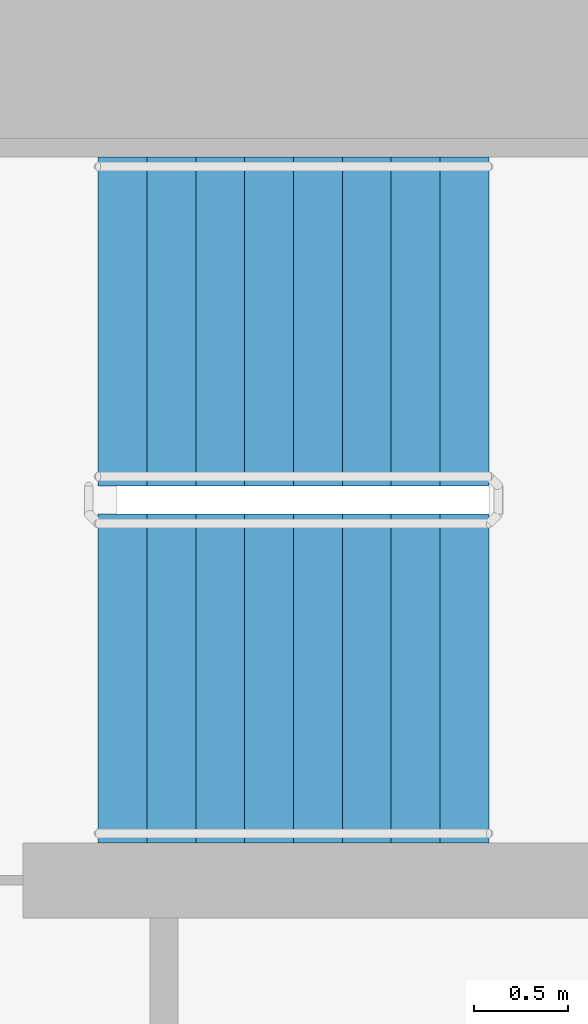
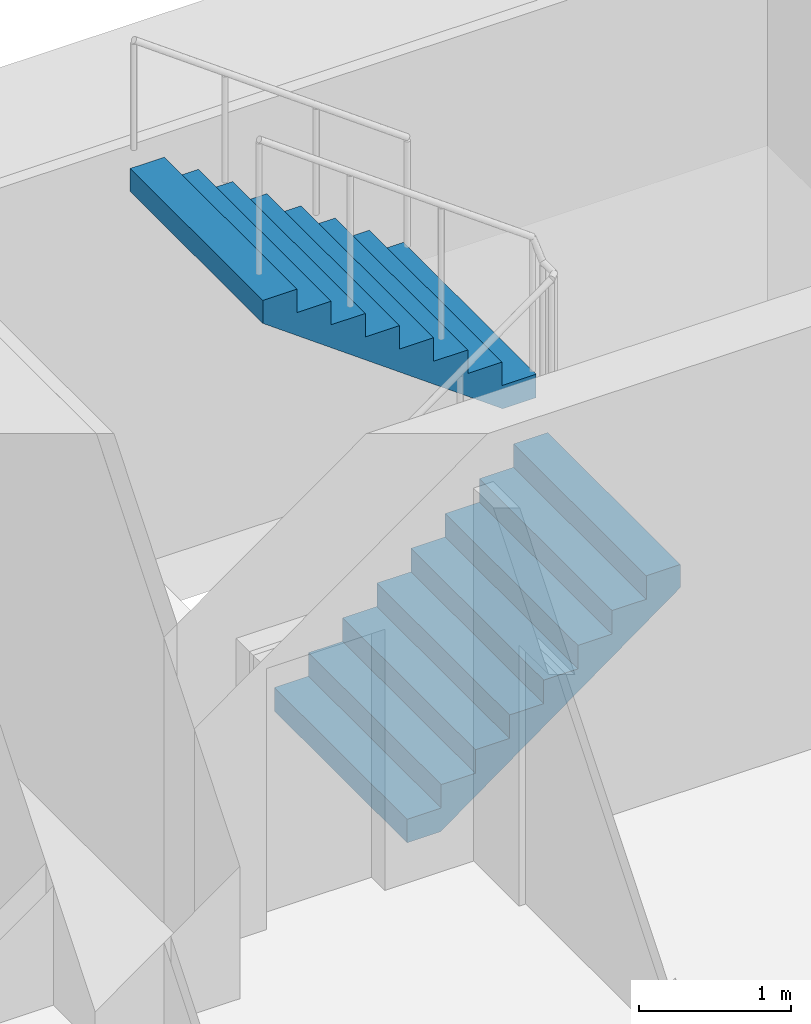
# One storey, part 17 of 21: 2 stair flights, 1 element without a shape of its own.
"""IFC4 building model written with IfcOpenShell, lengths in metres."""

from ifc_helpers import new_model, si_unit, direction, frame, origin, place, context, subcontext, project, spatial, faceted_brep, material, type_object, element, aggregate, save


model = new_model("IFC4")

# Units and contexts
model_context = context("Model", 3, precision=1e-05, world=origin(), true_north=direction((0.0, 1.0)))
body_context = subcontext(model_context, "Body", "Model", "MODEL_VIEW")
ifc_project = project(units=[si_unit("LENGTHUNIT", "METRE"), si_unit("AREAUNIT", "SQUARE_METRE"), si_unit("VOLUMEUNIT", "CUBIC_METRE"), si_unit("PLANEANGLEUNIT", "RADIAN"), si_unit("MASSUNIT", "GRAM", prefix="KILO")], contexts=[model_context])

# Site, building, storey
site_placement = place(None, origin())
site = spatial("IfcSite", under=ifc_project, at=site_placement, CompositionType="ELEMENT")
building_placement = place(site_placement, origin())
building = spatial("IfcBuilding", under=site, at=building_placement, Name="Ipe Terrace Towers", CompositionType="ELEMENT")
storey_placement = place(building_placement, frame((0.0, 0.0, 27.89990234375)))
storey = spatial("IfcBuildingStorey", under=building, at=storey_placement, Name="L06", CompositionType="ELEMENT", Elevation=27.89990234375)

# Stair, stair flights
ifc_material_1 = material(Name="Concrete C30/37", Category="concrete")
stair_type = type_object("IfcStairType", Name="Protected exit stair", PredefinedType="HALF_TURN_STAIR", material=ifc_material_1)
stair_placement = place(storey_placement, origin())
stair = element("IfcStair", 1, at=stair_placement, inside=storey, type_object=stair_type, Name="L06 Exit stair T1-C1", PredefinedType="HALF_TURN_STAIR")
ifc_material_2 = material(Name="Concrete C30/37", Category="concrete")
stair_flight_type = type_object("IfcStairFlightType", Name="Exit stair flight 1750", PredefinedType="STRAIGHT", material=ifc_material_2)
stair_flight_1_placement = place(storey_placement, frame((-26.300048828125, 2.77490234375, 0.0), z_axis=(0.0, 0.0, 1.0), x_axis=(1.0, 0.0, 0.0)))
stair_flight_1 = element("IfcStairFlight", 2, at=stair_flight_1_placement, type_object=stair_flight_type, Name="T1-ST1 flight 1", NumberOfRisers=9, NumberOfTreads=8, PredefinedType="STRAIGHT", RiserHeight=0.188888889, TreadLength=0.26, context=body_context, shape_type="Brep", body=[
    faceted_brep([(0.255126953125, -0.875, 0.0), (2.080078125, -0.875, 1.325927734375), (2.080078125, -0.875, 1.51123046875), (1.820068359375, -0.875, 1.51123046875), (1.820068359375, -0.875, 1.322265625), (1.56005859375, -0.875, 1.322265625), (1.56005859375, -0.875, 1.13330078125), (1.300048828125, -0.875, 1.13330078125), (1.300048828125, -0.875, 0.9443359375), (1.0400390625, -0.875, 0.9443359375), (1.0400390625, -0.875, 0.755615234375), (0.780029296875, -0.875, 0.755615234375), (0.780029296875, -0.875, 0.566650390625), (0.52001953125, -0.875, 0.566650390625), (0.52001953125, -0.875, 0.377685546875), (0.260009765625, -0.875, 0.377685546875), (0.260009765625, -0.875, 0.18896484375), (0.0, -0.875, 0.18896484375), (0.0, -0.875, 0.0), (0.0, 0.875, 0.0), (0.0, 0.875, 0.18896484375), (0.260009765625, 0.875, 0.18896484375), (0.260009765625, 0.875, 0.377685546875), (0.52001953125, 0.875, 0.377685546875), (0.52001953125, 0.875, 0.566650390625), (0.780029296875, 0.875, 0.566650390625), (0.780029296875, 0.875, 0.755615234375), (1.0400390625, 0.875, 0.755615234375), (1.0400390625, 0.875, 0.9443359375), (1.300048828125, 0.875, 0.9443359375), (1.300048828125, 0.875, 1.13330078125), (1.56005859375, 0.875, 1.13330078125), (1.56005859375, 0.875, 1.322265625), (1.820068359375, 0.875, 1.322265625), (1.820068359375, 0.875, 1.51123046875), (2.080078125, 0.875, 1.51123046875), (2.080078125, 0.875, 1.325927734375), (0.255126953125, 0.875, 0.0), (0.0, -0.300048828125, 0.18896484375), (0.0, -0.1201171875, 0.18896484375), (0.0, -0.06005859375, 0.18896484375), (0.0, -0.030029296875, 0.18896484375), (0.0, -0.010009765625, 0.18896484375), (0.0, 0.0, 0.18896484375), (0.0, 0.010009765625, 0.18896484375), (0.0, 0.030029296875, 0.18896484375), (0.0, 0.06005859375, 0.18896484375), (0.0, 0.1201171875, 0.18896484375), (0.0, 0.300048828125, 0.18896484375), (0.0, 0.300048828125, 0.0), (0.0, 0.1201171875, 0.0), (0.0, 0.06005859375, 0.0), (0.0, 0.030029296875, 0.0), (0.0, 0.010009765625, 0.0), (0.0, 0.0, 0.0), (0.0, -0.010009765625, 0.0), (0.0, -0.030029296875, 0.0), (0.0, -0.06005859375, 0.0), (0.0, -0.1201171875, 0.0), (0.0, -0.300048828125, 0.0), (0.260009765625, -0.300048828125, 0.18896484375), (0.260009765625, -0.1201171875, 0.18896484375), (0.260009765625, -0.06005859375, 0.18896484375), (0.260009765625, -0.030029296875, 0.18896484375), (0.260009765625, -0.010009765625, 0.18896484375), (0.260009765625, 0.0, 0.18896484375), (0.260009765625, 0.010009765625, 0.18896484375), (0.260009765625, 0.030029296875, 0.18896484375), (0.260009765625, 0.06005859375, 0.18896484375), (0.260009765625, 0.1201171875, 0.18896484375), (0.260009765625, 0.300048828125, 0.18896484375), (0.260009765625, -0.300048828125, 0.377685546875), (0.260009765625, -0.1201171875, 0.377685546875), (0.260009765625, -0.06005859375, 0.377685546875), (0.260009765625, -0.030029296875, 0.377685546875), (0.260009765625, -0.010009765625, 0.377685546875), (0.260009765625, 0.0, 0.377685546875), (0.260009765625, 0.010009765625, 0.377685546875), (0.260009765625, 0.030029296875, 0.377685546875), (0.260009765625, 0.06005859375, 0.377685546875), (0.260009765625, 0.1201171875, 0.377685546875), (0.260009765625, 0.300048828125, 0.377685546875), (0.52001953125, -0.300048828125, 0.377685546875), (0.52001953125, -0.1201171875, 0.377685546875), (0.52001953125, -0.06005859375, 0.377685546875), (0.52001953125, -0.030029296875, 0.377685546875), (0.52001953125, -0.010009765625, 0.377685546875), (0.52001953125, 0.0, 0.377685546875), (0.52001953125, 0.010009765625, 0.377685546875), (0.52001953125, 0.030029296875, 0.377685546875), (0.52001953125, 0.06005859375, 0.377685546875), (0.52001953125, 0.1201171875, 0.377685546875), (0.52001953125, 0.300048828125, 0.377685546875), (0.52001953125, -0.300048828125, 0.566650390625), (0.52001953125, -0.1201171875, 0.566650390625), (0.52001953125, -0.06005859375, 0.566650390625), (0.52001953125, -0.030029296875, 0.566650390625), (0.52001953125, -0.010009765625, 0.566650390625), (0.52001953125, 0.0, 0.566650390625), (0.52001953125, 0.010009765625, 0.566650390625), (0.52001953125, 0.030029296875, 0.566650390625), (0.52001953125, 0.06005859375, 0.566650390625), (0.52001953125, 0.1201171875, 0.566650390625), (0.52001953125, 0.300048828125, 0.566650390625), (0.780029296875, -0.300048828125, 0.566650390625), (0.780029296875, -0.1201171875, 0.566650390625), (0.780029296875, -0.06005859375, 0.566650390625), (0.780029296875, -0.030029296875, 0.566650390625), (0.780029296875, -0.010009765625, 0.566650390625), (0.780029296875, 0.0, 0.566650390625), (0.780029296875, 0.010009765625, 0.566650390625), (0.780029296875, 0.030029296875, 0.566650390625), (0.780029296875, 0.06005859375, 0.566650390625), (0.780029296875, 0.1201171875, 0.566650390625), (0.780029296875, 0.300048828125, 0.566650390625), (0.780029296875, -0.300048828125, 0.755615234375), (0.780029296875, -0.1201171875, 0.755615234375), (0.780029296875, -0.06005859375, 0.755615234375), (0.780029296875, -0.030029296875, 0.755615234375), (0.780029296875, -0.010009765625, 0.755615234375), (0.780029296875, 0.0, 0.755615234375), (0.780029296875, 0.010009765625, 0.755615234375), (0.780029296875, 0.030029296875, 0.755615234375), (0.780029296875, 0.06005859375, 0.755615234375), (0.780029296875, 0.1201171875, 0.755615234375), (0.780029296875, 0.300048828125, 0.755615234375), (1.0400390625, -0.300048828125, 0.755615234375), (1.0400390625, -0.1201171875, 0.755615234375), (1.0400390625, -0.06005859375, 0.755615234375), (1.0400390625, -0.030029296875, 0.755615234375), (1.0400390625, -0.010009765625, 0.755615234375), (1.0400390625, 0.0, 0.755615234375), (1.0400390625, 0.010009765625, 0.755615234375), (1.0400390625, 0.030029296875, 0.755615234375), (1.0400390625, 0.06005859375, 0.755615234375), (1.0400390625, 0.1201171875, 0.755615234375), (1.0400390625, 0.300048828125, 0.755615234375), (1.0400390625, -0.300048828125, 0.9443359375), (1.0400390625, -0.1201171875, 0.9443359375), (1.0400390625, -0.06005859375, 0.9443359375), (1.0400390625, -0.030029296875, 0.9443359375), (1.0400390625, -0.010009765625, 0.9443359375), (1.0400390625, 0.0, 0.9443359375), (1.0400390625, 0.010009765625, 0.9443359375), (1.0400390625, 0.030029296875, 0.9443359375), (1.0400390625, 0.06005859375, 0.9443359375), (1.0400390625, 0.1201171875, 0.9443359375), (1.0400390625, 0.300048828125, 0.9443359375), (1.300048828125, -0.300048828125, 0.9443359375), (1.300048828125, -0.1201171875, 0.9443359375), (1.300048828125, -0.06005859375, 0.9443359375), (1.300048828125, -0.030029296875, 0.9443359375), (1.300048828125, -0.010009765625, 0.9443359375), (1.300048828125, 0.0, 0.9443359375), (1.300048828125, 0.010009765625, 0.9443359375), (1.300048828125, 0.030029296875, 0.9443359375), (1.300048828125, 0.06005859375, 0.9443359375), (1.300048828125, 0.1201171875, 0.9443359375), (1.300048828125, 0.300048828125, 0.9443359375), (1.300048828125, -0.300048828125, 1.13330078125), (1.300048828125, -0.1201171875, 1.13330078125), (1.300048828125, -0.06005859375, 1.13330078125), (1.300048828125, -0.030029296875, 1.13330078125), (1.300048828125, -0.010009765625, 1.13330078125), (1.300048828125, 0.0, 1.13330078125), (1.300048828125, 0.010009765625, 1.13330078125), (1.300048828125, 0.030029296875, 1.13330078125), (1.300048828125, 0.06005859375, 1.13330078125), (1.300048828125, 0.1201171875, 1.13330078125), (1.300048828125, 0.300048828125, 1.13330078125), (1.56005859375, -0.300048828125, 1.13330078125), (1.56005859375, -0.1201171875, 1.13330078125), (1.56005859375, -0.06005859375, 1.13330078125), (1.56005859375, -0.030029296875, 1.13330078125), (1.56005859375, -0.010009765625, 1.13330078125), (1.56005859375, 0.0, 1.13330078125), (1.56005859375, 0.010009765625, 1.13330078125), (1.56005859375, 0.030029296875, 1.13330078125), (1.56005859375, 0.06005859375, 1.13330078125), (1.56005859375, 0.1201171875, 1.13330078125), (1.56005859375, 0.300048828125, 1.13330078125), (1.56005859375, -0.300048828125, 1.322265625), (1.56005859375, -0.1201171875, 1.322265625), (1.56005859375, -0.06005859375, 1.322265625), (1.56005859375, -0.030029296875, 1.322265625), (1.56005859375, -0.010009765625, 1.322265625), (1.56005859375, 0.0, 1.322265625), (1.56005859375, 0.010009765625, 1.322265625), (1.56005859375, 0.030029296875, 1.322265625), (1.56005859375, 0.06005859375, 1.322265625), (1.56005859375, 0.1201171875, 1.322265625), (1.56005859375, 0.300048828125, 1.322265625), (1.820068359375, -0.300048828125, 1.322265625), (1.820068359375, -0.1201171875, 1.322265625), (1.820068359375, -0.06005859375, 1.322265625), (1.820068359375, -0.030029296875, 1.322265625), (1.820068359375, -0.010009765625, 1.322265625), (1.820068359375, 0.0, 1.322265625), (1.820068359375, 0.010009765625, 1.322265625), (1.820068359375, 0.030029296875, 1.322265625), (1.820068359375, 0.06005859375, 1.322265625), (1.820068359375, 0.1201171875, 1.322265625), (1.820068359375, 0.300048828125, 1.322265625), (1.820068359375, -0.300048828125, 1.51123046875), (1.820068359375, -0.1201171875, 1.51123046875), (1.820068359375, -0.06005859375, 1.51123046875), (1.820068359375, -0.030029296875, 1.51123046875), (1.820068359375, -0.010009765625, 1.51123046875), (1.820068359375, 0.0, 1.51123046875), (1.820068359375, 0.010009765625, 1.51123046875), (1.820068359375, 0.030029296875, 1.51123046875), (1.820068359375, 0.06005859375, 1.51123046875), (1.820068359375, 0.1201171875, 1.51123046875), (1.820068359375, 0.300048828125, 1.51123046875), (2.080078125, -0.300048828125, 1.51123046875), (2.080078125, -0.1201171875, 1.51123046875), (2.080078125, -0.06005859375, 1.51123046875), (2.080078125, -0.030029296875, 1.51123046875), (2.080078125, -0.010009765625, 1.51123046875), (2.080078125, 0.0, 1.51123046875), (2.080078125, 0.010009765625, 1.51123046875), (2.080078125, 0.030029296875, 1.51123046875), (2.080078125, 0.06005859375, 1.51123046875), (2.080078125, 0.1201171875, 1.51123046875), (2.080078125, 0.300048828125, 1.51123046875), (2.080078125, -0.300048828125, 1.325927734375), (2.080078125, -0.1201171875, 1.325927734375), (2.080078125, -0.06005859375, 1.325927734375), (2.080078125, -0.030029296875, 1.325927734375), (2.080078125, -0.010009765625, 1.325927734375), (2.080078125, 0.0, 1.325927734375), (2.080078125, 0.010009765625, 1.325927734375), (2.080078125, 0.030029296875, 1.325927734375), (2.080078125, 0.06005859375, 1.325927734375), (2.080078125, 0.1201171875, 1.325927734375), (2.080078125, 0.300048828125, 1.325927734375), (0.255126953125, -0.300048828125, 0.0), (0.255126953125, -0.1201171875, 0.0), (0.255126953125, -0.06005859375, 0.0), (0.255126953125, -0.030029296875, 0.0), (0.255126953125, -0.010009765625, 0.0), (0.255126953125, 0.0, 0.0), (0.255126953125, 0.010009765625, 0.0), (0.255126953125, 0.030029296875, 0.0), (0.255126953125, 0.06005859375, 0.0), (0.255126953125, 0.1201171875, 0.0), (0.255126953125, 0.300048828125, 0.0)], [[[0, 1, 2, 3, 4, 5, 6, 7, 8, 9, 10, 11, 12, 13, 14, 15, 16, 17, 18]], [[19, 20, 21, 22, 23, 24, 25, 26, 27, 28, 29, 30, 31, 32, 33, 34, 35, 36, 37]], [[17, 38, 39, 40, 41, 42, 43, 44, 45, 46, 47, 48, 20, 19, 49, 50, 51, 52, 53, 54, 55, 56, 57, 58, 59, 18]], [[16, 60, 61, 62, 63, 64, 65, 66, 67, 68, 69, 70, 21, 20, 48, 47, 46, 45, 44, 43, 42, 41, 40, 39, 38, 17]], [[15, 71, 72, 73, 74, 75, 76, 77, 78, 79, 80, 81, 22, 21, 70, 69, 68, 67, 66, 65, 64, 63, 62, 61, 60, 16]], [[14, 82, 83, 84, 85, 86, 87, 88, 89, 90, 91, 92, 23, 22, 81, 80, 79, 78, 77, 76, 75, 74, 73, 72, 71, 15]], [[13, 93, 94, 95, 96, 97, 98, 99, 100, 101, 102, 103, 24, 23, 92, 91, 90, 89, 88, 87, 86, 85, 84, 83, 82, 14]], [[12, 104, 105, 106, 107, 108, 109, 110, 111, 112, 113, 114, 25, 24, 103, 102, 101, 100, 99, 98, 97, 96, 95, 94, 93, 13]], [[11, 115, 116, 117, 118, 119, 120, 121, 122, 123, 124, 125, 26, 25, 114, 113, 112, 111, 110, 109, 108, 107, 106, 105, 104, 12]], [[10, 126, 127, 128, 129, 130, 131, 132, 133, 134, 135, 136, 27, 26, 125, 124, 123, 122, 121, 120, 119, 118, 117, 116, 115, 11]], [[9, 137, 138, 139, 140, 141, 142, 143, 144, 145, 146, 147, 28, 27, 136, 135, 134, 133, 132, 131, 130, 129, 128, 127, 126, 10]], [[8, 148, 149, 150, 151, 152, 153, 154, 155, 156, 157, 158, 29, 28, 147, 146, 145, 144, 143, 142, 141, 140, 139, 138, 137, 9]], [[7, 159, 160, 161, 162, 163, 164, 165, 166, 167, 168, 169, 30, 29, 158, 157, 156, 155, 154, 153, 152, 151, 150, 149, 148, 8]], [[6, 170, 171, 172, 173, 174, 175, 176, 177, 178, 179, 180, 31, 30, 169, 168, 167, 166, 165, 164, 163, 162, 161, 160, 159, 7]], [[5, 181, 182, 183, 184, 185, 186, 187, 188, 189, 190, 191, 32, 31, 180, 179, 178, 177, 176, 175, 174, 173, 172, 171, 170, 6]], [[4, 192, 193, 194, 195, 196, 197, 198, 199, 200, 201, 202, 33, 32, 191, 190, 189, 188, 187, 186, 185, 184, 183, 182, 181, 5]], [[3, 203, 204, 205, 206, 207, 208, 209, 210, 211, 212, 213, 34, 33, 202, 201, 200, 199, 198, 197, 196, 195, 194, 193, 192, 4]], [[2, 214, 215, 216, 217, 218, 219, 220, 221, 222, 223, 224, 35, 34, 213, 212, 211, 210, 209, 208, 207, 206, 205, 204, 203, 3]], [[1, 225, 226, 227, 228, 229, 230, 231, 232, 233, 234, 235, 36, 35, 224, 223, 222, 221, 220, 219, 218, 217, 216, 215, 214, 2]], [[0, 236, 237, 238, 239, 240, 241, 242, 243, 244, 245, 246, 37, 36, 235, 234, 233, 232, 231, 230, 229, 228, 227, 226, 225, 1]], [[18, 59, 58, 57, 56, 55, 54, 53, 52, 51, 50, 49, 19, 37, 246, 245, 244, 243, 242, 241, 240, 239, 238, 237, 236, 0]]]),
])
stair_flight_2_placement = place(storey_placement, frame((-24.219970703125, 4.675048828125, 1.7001953125), z_axis=(0.0, 0.0, 1.0), x_axis=(-1.0, 0.0, 0.0)))
stair_flight_2 = element("IfcStairFlight", 3, at=stair_flight_2_placement, type_object=stair_flight_type, Name="T1-ST1 flight 2", NumberOfRisers=9, NumberOfTreads=8, PredefinedType="STRAIGHT", RiserHeight=0.188888889, TreadLength=0.26, context=body_context, shape_type="Brep", body=[
    faceted_brep([(0.255126953125, -0.875, 0.0), (2.080078125, -0.875, 1.325927734375), (2.080078125, -0.875, 1.51123046875), (1.820068359375, -0.875, 1.51123046875), (1.820068359375, -0.875, 1.322265625), (1.56005859375, -0.875, 1.322265625), (1.56005859375, -0.875, 1.13330078125), (1.300048828125, -0.875, 1.13330078125), (1.300048828125, -0.875, 0.9443359375), (1.0400390625, -0.875, 0.9443359375), (1.0400390625, -0.875, 0.755615234375), (0.780029296875, -0.875, 0.755615234375), (0.780029296875, -0.875, 0.566650390625), (0.52001953125, -0.875, 0.566650390625), (0.52001953125, -0.875, 0.377685546875), (0.260009765625, -0.875, 0.377685546875), (0.260009765625, -0.875, 0.18896484375), (0.0, -0.875, 0.18896484375), (0.0, -0.875, 0.0), (0.0, 0.875, 0.0), (0.0, 0.875, 0.18896484375), (0.260009765625, 0.875, 0.18896484375), (0.260009765625, 0.875, 0.377685546875), (0.52001953125, 0.875, 0.377685546875), (0.52001953125, 0.875, 0.566650390625), (0.780029296875, 0.875, 0.566650390625), (0.780029296875, 0.875, 0.755615234375), (1.0400390625, 0.875, 0.755615234375), (1.0400390625, 0.875, 0.9443359375), (1.300048828125, 0.875, 0.9443359375), (1.300048828125, 0.875, 1.13330078125), (1.56005859375, 0.875, 1.13330078125), (1.56005859375, 0.875, 1.322265625), (1.820068359375, 0.875, 1.322265625), (1.820068359375, 0.875, 1.51123046875), (2.080078125, 0.875, 1.51123046875), (2.080078125, 0.875, 1.325927734375), (0.255126953125, 0.875, 0.0), (0.0, -0.300048828125, 0.18896484375), (0.0, -0.1201171875, 0.18896484375), (0.0, -0.06005859375, 0.18896484375), (0.0, -0.030029296875, 0.18896484375), (0.0, -0.010009765625, 0.18896484375), (0.0, 0.0, 0.18896484375), (0.0, 0.010009765625, 0.18896484375), (0.0, 0.030029296875, 0.18896484375), (0.0, 0.06005859375, 0.18896484375), (0.0, 0.1201171875, 0.18896484375), (0.0, 0.300048828125, 0.18896484375), (0.0, 0.300048828125, 0.0), (0.0, 0.1201171875, 0.0), (0.0, 0.06005859375, 0.0), (0.0, 0.030029296875, 0.0), (0.0, 0.010009765625, 0.0), (0.0, 0.0, 0.0), (0.0, -0.010009765625, 0.0), (0.0, -0.030029296875, 0.0), (0.0, -0.06005859375, 0.0), (0.0, -0.1201171875, 0.0), (0.0, -0.300048828125, 0.0), (0.260009765625, -0.300048828125, 0.18896484375), (0.260009765625, -0.1201171875, 0.18896484375), (0.260009765625, -0.06005859375, 0.18896484375), (0.260009765625, -0.030029296875, 0.18896484375), (0.260009765625, -0.010009765625, 0.18896484375), (0.260009765625, 0.0, 0.18896484375), (0.260009765625, 0.010009765625, 0.18896484375), (0.260009765625, 0.030029296875, 0.18896484375), (0.260009765625, 0.06005859375, 0.18896484375), (0.260009765625, 0.1201171875, 0.18896484375), (0.260009765625, 0.300048828125, 0.18896484375), (0.260009765625, -0.300048828125, 0.377685546875), (0.260009765625, -0.1201171875, 0.377685546875), (0.260009765625, -0.06005859375, 0.377685546875), (0.260009765625, -0.030029296875, 0.377685546875), (0.260009765625, -0.010009765625, 0.377685546875), (0.260009765625, 0.0, 0.377685546875), (0.260009765625, 0.010009765625, 0.377685546875), (0.260009765625, 0.030029296875, 0.377685546875), (0.260009765625, 0.06005859375, 0.377685546875), (0.260009765625, 0.1201171875, 0.377685546875), (0.260009765625, 0.300048828125, 0.377685546875), (0.52001953125, -0.300048828125, 0.377685546875), (0.52001953125, -0.1201171875, 0.377685546875), (0.52001953125, -0.06005859375, 0.377685546875), (0.52001953125, -0.030029296875, 0.377685546875), (0.52001953125, -0.010009765625, 0.377685546875), (0.52001953125, 0.0, 0.377685546875), (0.52001953125, 0.010009765625, 0.377685546875), (0.52001953125, 0.030029296875, 0.377685546875), (0.52001953125, 0.06005859375, 0.377685546875), (0.52001953125, 0.1201171875, 0.377685546875), (0.52001953125, 0.300048828125, 0.377685546875), (0.52001953125, -0.300048828125, 0.566650390625), (0.52001953125, -0.1201171875, 0.566650390625), (0.52001953125, -0.06005859375, 0.566650390625), (0.52001953125, -0.030029296875, 0.566650390625), (0.52001953125, -0.010009765625, 0.566650390625), (0.52001953125, 0.0, 0.566650390625), (0.52001953125, 0.010009765625, 0.566650390625), (0.52001953125, 0.030029296875, 0.566650390625), (0.52001953125, 0.06005859375, 0.566650390625), (0.52001953125, 0.1201171875, 0.566650390625), (0.52001953125, 0.300048828125, 0.566650390625), (0.780029296875, -0.300048828125, 0.566650390625), (0.780029296875, -0.1201171875, 0.566650390625), (0.780029296875, -0.06005859375, 0.566650390625), (0.780029296875, -0.030029296875, 0.566650390625), (0.780029296875, -0.010009765625, 0.566650390625), (0.780029296875, 0.0, 0.566650390625), (0.780029296875, 0.010009765625, 0.566650390625), (0.780029296875, 0.030029296875, 0.566650390625), (0.780029296875, 0.06005859375, 0.566650390625), (0.780029296875, 0.1201171875, 0.566650390625), (0.780029296875, 0.300048828125, 0.566650390625), (0.780029296875, -0.300048828125, 0.755615234375), (0.780029296875, -0.1201171875, 0.755615234375), (0.780029296875, -0.06005859375, 0.755615234375), (0.780029296875, -0.030029296875, 0.755615234375), (0.780029296875, -0.010009765625, 0.755615234375), (0.780029296875, 0.0, 0.755615234375), (0.780029296875, 0.010009765625, 0.755615234375), (0.780029296875, 0.030029296875, 0.755615234375), (0.780029296875, 0.06005859375, 0.755615234375), (0.780029296875, 0.1201171875, 0.755615234375), (0.780029296875, 0.300048828125, 0.755615234375), (1.0400390625, -0.300048828125, 0.755615234375), (1.0400390625, -0.1201171875, 0.755615234375), (1.0400390625, -0.06005859375, 0.755615234375), (1.0400390625, -0.030029296875, 0.755615234375), (1.0400390625, -0.010009765625, 0.755615234375), (1.0400390625, 0.0, 0.755615234375), (1.0400390625, 0.010009765625, 0.755615234375), (1.0400390625, 0.030029296875, 0.755615234375), (1.0400390625, 0.06005859375, 0.755615234375), (1.0400390625, 0.1201171875, 0.755615234375), (1.0400390625, 0.300048828125, 0.755615234375), (1.0400390625, -0.300048828125, 0.9443359375), (1.0400390625, -0.1201171875, 0.9443359375), (1.0400390625, -0.06005859375, 0.9443359375), (1.0400390625, -0.030029296875, 0.9443359375), (1.0400390625, -0.010009765625, 0.9443359375), (1.0400390625, 0.0, 0.9443359375), (1.0400390625, 0.010009765625, 0.9443359375), (1.0400390625, 0.030029296875, 0.9443359375), (1.0400390625, 0.06005859375, 0.9443359375), (1.0400390625, 0.1201171875, 0.9443359375), (1.0400390625, 0.300048828125, 0.9443359375), (1.300048828125, -0.300048828125, 0.9443359375), (1.300048828125, -0.1201171875, 0.9443359375), (1.300048828125, -0.06005859375, 0.9443359375), (1.300048828125, -0.030029296875, 0.9443359375), (1.300048828125, -0.010009765625, 0.9443359375), (1.300048828125, 0.0, 0.9443359375), (1.300048828125, 0.010009765625, 0.9443359375), (1.300048828125, 0.030029296875, 0.9443359375), (1.300048828125, 0.06005859375, 0.9443359375), (1.300048828125, 0.1201171875, 0.9443359375), (1.300048828125, 0.300048828125, 0.9443359375), (1.300048828125, -0.300048828125, 1.13330078125), (1.300048828125, -0.1201171875, 1.13330078125), (1.300048828125, -0.06005859375, 1.13330078125), (1.300048828125, -0.030029296875, 1.13330078125), (1.300048828125, -0.010009765625, 1.13330078125), (1.300048828125, 0.0, 1.13330078125), (1.300048828125, 0.010009765625, 1.13330078125), (1.300048828125, 0.030029296875, 1.13330078125), (1.300048828125, 0.06005859375, 1.13330078125), (1.300048828125, 0.1201171875, 1.13330078125), (1.300048828125, 0.300048828125, 1.13330078125), (1.56005859375, -0.300048828125, 1.13330078125), (1.56005859375, -0.1201171875, 1.13330078125), (1.56005859375, -0.06005859375, 1.13330078125), (1.56005859375, -0.030029296875, 1.13330078125), (1.56005859375, -0.010009765625, 1.13330078125), (1.56005859375, 0.0, 1.13330078125), (1.56005859375, 0.010009765625, 1.13330078125), (1.56005859375, 0.030029296875, 1.13330078125), (1.56005859375, 0.06005859375, 1.13330078125), (1.56005859375, 0.1201171875, 1.13330078125), (1.56005859375, 0.300048828125, 1.13330078125), (1.56005859375, -0.300048828125, 1.322265625), (1.56005859375, -0.1201171875, 1.322265625), (1.56005859375, -0.06005859375, 1.322265625), (1.56005859375, -0.030029296875, 1.322265625), (1.56005859375, -0.010009765625, 1.322265625), (1.56005859375, 0.0, 1.322265625), (1.56005859375, 0.010009765625, 1.322265625), (1.56005859375, 0.030029296875, 1.322265625), (1.56005859375, 0.06005859375, 1.322265625), (1.56005859375, 0.1201171875, 1.322265625), (1.56005859375, 0.300048828125, 1.322265625), (1.820068359375, -0.300048828125, 1.322265625), (1.820068359375, -0.1201171875, 1.322265625), (1.820068359375, -0.06005859375, 1.322265625), (1.820068359375, -0.030029296875, 1.322265625), (1.820068359375, -0.010009765625, 1.322265625), (1.820068359375, 0.0, 1.322265625), (1.820068359375, 0.010009765625, 1.322265625), (1.820068359375, 0.030029296875, 1.322265625), (1.820068359375, 0.06005859375, 1.322265625), (1.820068359375, 0.1201171875, 1.322265625), (1.820068359375, 0.300048828125, 1.322265625), (1.820068359375, -0.300048828125, 1.51123046875), (1.820068359375, -0.1201171875, 1.51123046875), (1.820068359375, -0.06005859375, 1.51123046875), (1.820068359375, -0.030029296875, 1.51123046875), (1.820068359375, -0.010009765625, 1.51123046875), (1.820068359375, 0.0, 1.51123046875), (1.820068359375, 0.010009765625, 1.51123046875), (1.820068359375, 0.030029296875, 1.51123046875), (1.820068359375, 0.06005859375, 1.51123046875), (1.820068359375, 0.1201171875, 1.51123046875), (1.820068359375, 0.300048828125, 1.51123046875), (2.080078125, -0.300048828125, 1.51123046875), (2.080078125, -0.1201171875, 1.51123046875), (2.080078125, -0.06005859375, 1.51123046875), (2.080078125, -0.030029296875, 1.51123046875), (2.080078125, -0.010009765625, 1.51123046875), (2.080078125, 0.0, 1.51123046875), (2.080078125, 0.010009765625, 1.51123046875), (2.080078125, 0.030029296875, 1.51123046875), (2.080078125, 0.06005859375, 1.51123046875), (2.080078125, 0.1201171875, 1.51123046875), (2.080078125, 0.300048828125, 1.51123046875), (2.080078125, -0.300048828125, 1.325927734375), (2.080078125, -0.1201171875, 1.325927734375), (2.080078125, -0.06005859375, 1.325927734375), (2.080078125, -0.030029296875, 1.325927734375), (2.080078125, -0.010009765625, 1.325927734375), (2.080078125, 0.0, 1.325927734375), (2.080078125, 0.010009765625, 1.325927734375), (2.080078125, 0.030029296875, 1.325927734375), (2.080078125, 0.06005859375, 1.325927734375), (2.080078125, 0.1201171875, 1.325927734375), (2.080078125, 0.300048828125, 1.325927734375), (0.255126953125, -0.300048828125, 0.0), (0.255126953125, -0.1201171875, 0.0), (0.255126953125, -0.06005859375, 0.0), (0.255126953125, -0.030029296875, 0.0), (0.255126953125, -0.010009765625, 0.0), (0.255126953125, 0.0, 0.0), (0.255126953125, 0.010009765625, 0.0), (0.255126953125, 0.030029296875, 0.0), (0.255126953125, 0.06005859375, 0.0), (0.255126953125, 0.1201171875, 0.0), (0.255126953125, 0.300048828125, 0.0)], [[[0, 1, 2, 3, 4, 5, 6, 7, 8, 9, 10, 11, 12, 13, 14, 15, 16, 17, 18]], [[19, 20, 21, 22, 23, 24, 25, 26, 27, 28, 29, 30, 31, 32, 33, 34, 35, 36, 37]], [[17, 38, 39, 40, 41, 42, 43, 44, 45, 46, 47, 48, 20, 19, 49, 50, 51, 52, 53, 54, 55, 56, 57, 58, 59, 18]], [[16, 60, 61, 62, 63, 64, 65, 66, 67, 68, 69, 70, 21, 20, 48, 47, 46, 45, 44, 43, 42, 41, 40, 39, 38, 17]], [[15, 71, 72, 73, 74, 75, 76, 77, 78, 79, 80, 81, 22, 21, 70, 69, 68, 67, 66, 65, 64, 63, 62, 61, 60, 16]], [[14, 82, 83, 84, 85, 86, 87, 88, 89, 90, 91, 92, 23, 22, 81, 80, 79, 78, 77, 76, 75, 74, 73, 72, 71, 15]], [[13, 93, 94, 95, 96, 97, 98, 99, 100, 101, 102, 103, 24, 23, 92, 91, 90, 89, 88, 87, 86, 85, 84, 83, 82, 14]], [[12, 104, 105, 106, 107, 108, 109, 110, 111, 112, 113, 114, 25, 24, 103, 102, 101, 100, 99, 98, 97, 96, 95, 94, 93, 13]], [[11, 115, 116, 117, 118, 119, 120, 121, 122, 123, 124, 125, 26, 25, 114, 113, 112, 111, 110, 109, 108, 107, 106, 105, 104, 12]], [[10, 126, 127, 128, 129, 130, 131, 132, 133, 134, 135, 136, 27, 26, 125, 124, 123, 122, 121, 120, 119, 118, 117, 116, 115, 11]], [[9, 137, 138, 139, 140, 141, 142, 143, 144, 145, 146, 147, 28, 27, 136, 135, 134, 133, 132, 131, 130, 129, 128, 127, 126, 10]], [[8, 148, 149, 150, 151, 152, 153, 154, 155, 156, 157, 158, 29, 28, 147, 146, 145, 144, 143, 142, 141, 140, 139, 138, 137, 9]], [[7, 159, 160, 161, 162, 163, 164, 165, 166, 167, 168, 169, 30, 29, 158, 157, 156, 155, 154, 153, 152, 151, 150, 149, 148, 8]], [[6, 170, 171, 172, 173, 174, 175, 176, 177, 178, 179, 180, 31, 30, 169, 168, 167, 166, 165, 164, 163, 162, 161, 160, 159, 7]], [[5, 181, 182, 183, 184, 185, 186, 187, 188, 189, 190, 191, 32, 31, 180, 179, 178, 177, 176, 175, 174, 173, 172, 171, 170, 6]], [[4, 192, 193, 194, 195, 196, 197, 198, 199, 200, 201, 202, 33, 32, 191, 190, 189, 188, 187, 186, 185, 184, 183, 182, 181, 5]], [[3, 203, 204, 205, 206, 207, 208, 209, 210, 211, 212, 213, 34, 33, 202, 201, 200, 199, 198, 197, 196, 195, 194, 193, 192, 4]], [[2, 214, 215, 216, 217, 218, 219, 220, 221, 222, 223, 224, 35, 34, 213, 212, 211, 210, 209, 208, 207, 206, 205, 204, 203, 3]], [[1, 225, 226, 227, 228, 229, 230, 231, 232, 233, 234, 235, 36, 35, 224, 223, 222, 221, 220, 219, 218, 217, 216, 215, 214, 2]], [[0, 236, 237, 238, 239, 240, 241, 242, 243, 244, 245, 246, 37, 36, 235, 234, 233, 232, 231, 230, 229, 228, 227, 226, 225, 1]], [[18, 59, 58, 57, 56, 55, 54, 53, 52, 51, 50, 49, 19, 37, 246, 245, 244, 243, 242, 241, 240, 239, 238, 237, 236, 0]]]),
])
aggregate(stair, [stair_flight_1, stair_flight_2])

save(model, "model.ifc")
